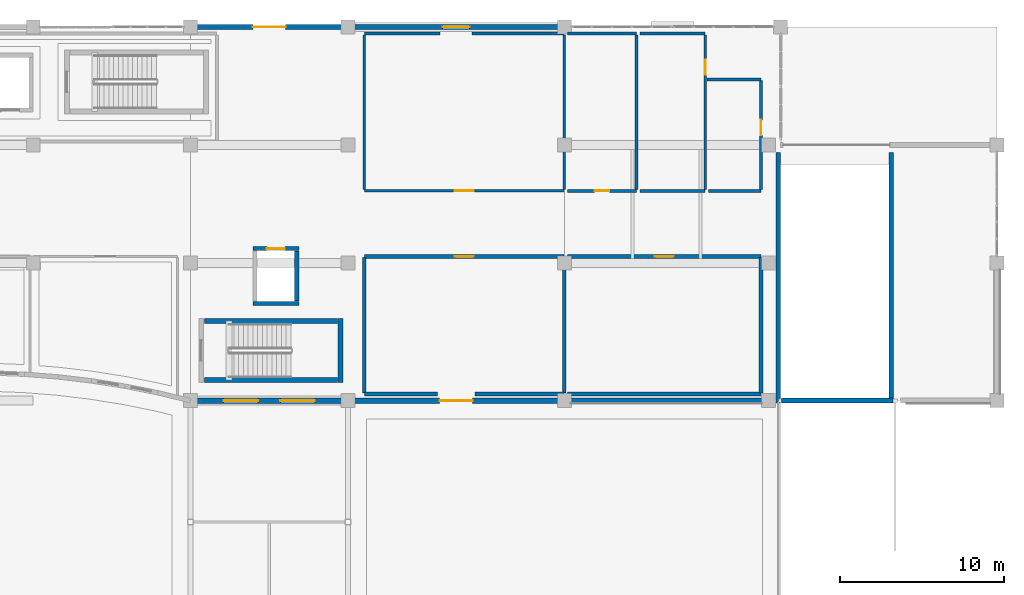
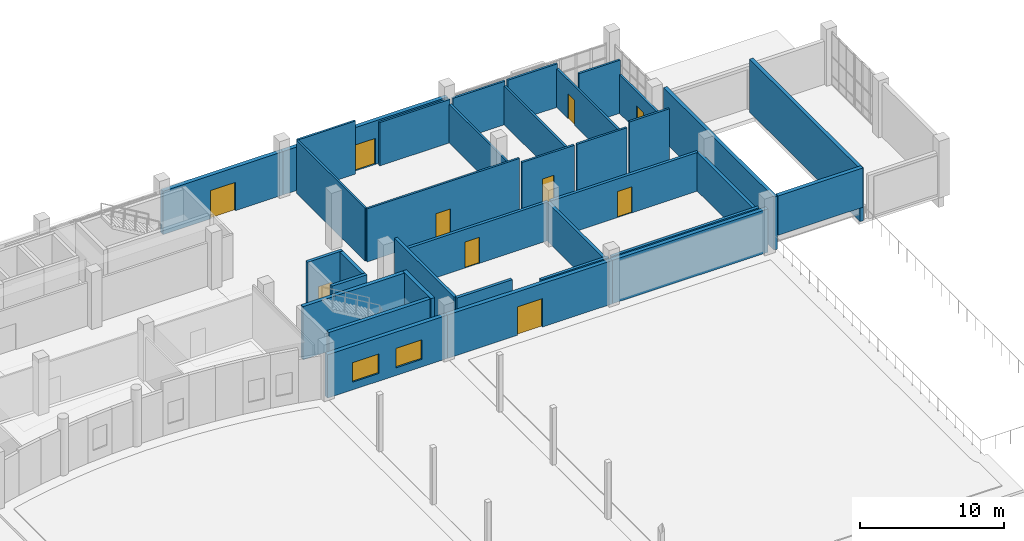
# One storey, part 72 of 97: 36 walls, 10 doors, 2 windows, 12 openings.
"""IFC4 building model written with IfcOpenShell, lengths in metres."""

from ifc_helpers import new_model, si_unit, direction, frame, frame_2d, origin, place, context, subcontext, project, spatial, rectangle, extrude, material, layer, layer_set, type_object, element, fill, save


model = new_model("IFC4")

# Units and contexts
model_context = context("Model", 3, precision=1e-05, world=origin(), true_north=direction((0.0, 1.0)))
body_context = subcontext(model_context, "Body", "Model", "MODEL_VIEW")
ifc_project = project(units=[si_unit("LENGTHUNIT", "METRE"), si_unit("AREAUNIT", "SQUARE_METRE"), si_unit("VOLUMEUNIT", "CUBIC_METRE"), si_unit("PLANEANGLEUNIT", "RADIAN"), si_unit("MASSUNIT", "GRAM", prefix="KILO")], contexts=[model_context])

# Site, building, storey
site_placement = place(None, origin())
site = spatial("IfcSite", under=ifc_project, at=site_placement, CompositionType="ELEMENT")
building_placement = place(site_placement, origin())
building = spatial("IfcBuilding", under=site, at=building_placement, Name="Kisaragi Civic Commons", CompositionType="ELEMENT")
storey_placement = place(building_placement, origin())
storey = spatial("IfcBuildingStorey", under=building, at=storey_placement, Name="L00", CompositionType="ELEMENT", Elevation=0.0)

# Wall, opening, door
ifc_material_1 = material(Name="Insulated Tokoname terracotta cavity wall", Category="masonry")
ifc_layer_1 = layer(ifc_material_1, 0.320068359375, Name="Insulated Tokoname terracotta cavity wall", Category="masonry")
ifc_layer_set_1 = layer_set([ifc_layer_1], Name="Insulated Tokoname terracotta cavity wall")
wall_type_1 = type_object("IfcWallType", Name="EW-01", PredefinedType="STANDARD", material=ifc_layer_set_1)
wall_1_placement = place(storey_placement, frame((123.60009765625, 118.800048828125, 0.0), z_axis=(0.0, 0.0, 1.0), x_axis=(1.0, 0.0, 0.0)))
wall_1 = element("IfcWall", 1, at=wall_1_placement, inside=storey, type_object=wall_type_1, Name="V4 L00 exterior terracotta wall EW-01 281", PredefinedType="STANDARD", context=body_context, shape_type="SweptSolid", body=[
    extrude(rectangle(XDim=9.599853515625, YDim=0.320068359375, at=frame_2d((4.7998046875, 0.0))), origin(), (0.0, 0.0, 1.0), 3.669921875),
])
opening_1_placement = place(wall_1_placement, frame((3.800048828125, 0.0, 0.0)))
opening_1 = element("IfcOpeningElement", 2, at=opening_1_placement, cuts=wall_1, Name="Opening ED-A", PredefinedType="OPENING", context=body_context, shape_type="SweptSolid", body=[
    extrude(rectangle(XDim=2.0, YDim=2.39990234375, at=frame_2d((1.0, 1.199951171875))), frame((0.0, 0.169921875, 0.0), z_axis=(0.0, -1.0, 0.0), x_axis=(1.0, 0.0, 0.0)), (0.0, 0.0, 1.0), 0.340087890625),
])
ifc_material_2 = material(Name="Thermally broken anodized aluminium glazed exit door", Category="aluminium")
door_type_1 = type_object("IfcDoorType", Name="ED-A", OperationType="NOTDEFINED", PredefinedType="DOOR", material=ifc_material_2)
door_1_placement = place(opening_1_placement, origin())
door_1 = element("IfcDoor", 3, at=door_1_placement, inside=storey, type_object=door_type_1, Name="Ground exterior exit and veranda door ED-A 19", OperationType="DOUBLE_DOOR_SINGLE_SWING", OverallHeight=2.39990234375, OverallWidth=2.0, PredefinedType="DOOR", context=body_context, shape_type="SweptSolid", body=[
    extrude(rectangle(XDim=2.0, YDim=2.39990234375, at=frame_2d((1.0, 1.199951171875))), frame((0.0, 0.02490234375, 0.0), z_axis=(0.0, -1.0, 0.0), x_axis=(1.0, 0.0, 0.0)), (0.0, 0.0, 1.0), 0.050048828125),
])
fill(opening_1, door_1)

wall_2_placement = place(storey_placement, frame((133.199951171875, 118.800048828125, 0.0), z_axis=(0.0, 0.0, 1.0), x_axis=(1.0, 0.0, 0.0)))
wall_2 = element("IfcWall", 4, at=wall_2_placement, inside=storey, type_object=wall_type_1, Name="V4 L00 exterior terracotta wall EW-01 282", PredefinedType="STANDARD", context=body_context, shape_type="SweptSolid", body=[
    extrude(rectangle(XDim=13.199951171875, YDim=0.320068359375, at=frame_2d((6.60009765625, 0.0))), origin(), (0.0, 0.0, 1.0), 3.669921875),
])
opening_2_placement = place(wall_2_placement, frame((5.77490234375, 0.0, 0.0)))
opening_2 = element("IfcOpeningElement", 5, at=opening_2_placement, cuts=wall_2, Name="Opening ED-D", PredefinedType="OPENING", context=body_context, shape_type="SweptSolid", body=[
    extrude(rectangle(XDim=1.64990234375, YDim=2.199951171875, at=frame_2d((0.824951171875, 1.10009765625))), frame((0.0, 0.169921875, 0.0), z_axis=(0.0, -1.0, 0.0), x_axis=(1.0, 0.0, 0.0)), (0.0, 0.0, 1.0), 0.340087890625),
])
door_type_2 = type_object("IfcDoorType", Name="ED-D", OperationType="NOTDEFINED", PredefinedType="DOOR", material=ifc_material_2)
door_2_placement = place(opening_2_placement, origin())
door_2 = element("IfcDoor", 6, at=door_2_placement, inside=storey, type_object=door_type_2, Name="Ground exterior exit and veranda door ED-D 20", OperationType="DOUBLE_DOOR_SINGLE_SWING", OverallHeight=2.199951171875, OverallWidth=1.64990234375, PredefinedType="DOOR", context=body_context, shape_type="SweptSolid", body=[
    extrude(rectangle(XDim=1.64990234375, YDim=2.199951171875, at=frame_2d((0.824951171875, 1.10009765625))), frame((0.0, 0.02490234375, 0.0), z_axis=(0.0, -1.0, 0.0), x_axis=(1.0, 0.0, 0.0)), (0.0, 0.0, 1.0), 0.050048828125),
])
fill(opening_2, door_2)

wall_3_placement = place(storey_placement, frame((146.39990234375, 96.0, 0.0), z_axis=(0.0, 0.0, 1.0), x_axis=(-1.0, 0.0, 0.0)))
wall_3 = element("IfcWall", 7, at=wall_3_placement, inside=storey, type_object=wall_type_1, Name="V4 L00 exterior terracotta wall EW-01 287", PredefinedType="STANDARD", context=body_context, shape_type="SweptSolid", body=[
    extrude(rectangle(XDim=13.199951171875, YDim=0.320068359375, at=frame_2d((6.60009765625, 0.0))), origin(), (0.0, 0.0, 1.0), 3.669921875),
])
opening_3_placement = place(wall_3_placement, frame((5.60009765625, 0.0, 0.0)))
opening_3 = element("IfcOpeningElement", 8, at=opening_3_placement, cuts=wall_3, Name="Opening ED-A", PredefinedType="OPENING", context=body_context, shape_type="SweptSolid", body=[
    extrude(rectangle(XDim=2.0, YDim=2.39990234375, at=frame_2d((1.0, 1.199951171875))), frame((0.0, 0.169921875, 0.0), z_axis=(0.0, -1.0, 0.0), x_axis=(1.0, 0.0, 0.0)), (0.0, 0.0, 1.0), 0.340087890625),
])
door_3_placement = place(opening_3_placement, origin())
door_3 = element("IfcDoor", 9, at=door_3_placement, inside=storey, type_object=door_type_1, Name="Ground exterior exit and veranda door ED-A 25", OperationType="DOUBLE_DOOR_SINGLE_SWING", OverallHeight=2.39990234375, OverallWidth=2.0, PredefinedType="DOOR", context=body_context, shape_type="SweptSolid", body=[
    extrude(rectangle(XDim=2.0, YDim=2.39990234375, at=frame_2d((1.0, 1.199951171875))), frame((0.0, 0.02490234375, 0.0), z_axis=(0.0, -1.0, 0.0), x_axis=(1.0, 0.0, 0.0)), (0.0, 0.0, 1.0), 0.050048828125),
])
fill(opening_3, door_3)

# Wall, openings, windows
wall_4_placement = place(storey_placement, frame((133.199951171875, 96.0, 0.0), z_axis=(0.0, 0.0, 1.0), x_axis=(-1.0, 0.0, 0.0)))
wall_4 = element("IfcWall", 10, at=wall_4_placement, inside=storey, type_object=wall_type_1, Name="V4 L00 exterior terracotta wall EW-01 288", PredefinedType="STANDARD", context=body_context, shape_type="SweptSolid", body=[
    extrude(rectangle(XDim=9.599853515625, YDim=0.320068359375, at=frame_2d((4.7998046875, 0.0))), origin(), (0.0, 0.0, 1.0), 3.669921875),
])
opening_4_placement = place(wall_4_placement, frame((2.02197265625, 0.0, 0.64990234375)))
opening_4 = element("IfcOpeningElement", 11, at=opening_4_placement, cuts=wall_4, Name="Opening W-04", PredefinedType="OPENING", context=body_context, shape_type="SweptSolid", body=[
    extrude(rectangle(XDim=2.10009765625, YDim=1.64990234375, at=frame_2d((1.050048828125, 0.824951171875))), frame((0.0, 0.169921875, 0.0), z_axis=(0.0, -1.0, 0.0), x_axis=(1.0, 0.0, 0.0)), (0.0, 0.0, 1.0), 0.340087890625),
])
opening_5_placement = place(wall_4_placement, frame((5.47802734375, 0.0, 0.64990234375)))
opening_5 = element("IfcOpeningElement", 12, at=opening_5_placement, cuts=wall_4, Name="Opening W-04", PredefinedType="OPENING", context=body_context, shape_type="SweptSolid", body=[
    extrude(rectangle(XDim=2.10009765625, YDim=1.64990234375, at=frame_2d((1.050048828125, 0.824951171875))), frame((0.0, 0.169921875, 0.0), z_axis=(0.0, -1.0, 0.0), x_axis=(1.0, 0.0, 0.0)), (0.0, 0.0, 1.0), 0.340087890625),
])
ifc_material_3 = material(Name="Thermally broken aluminium frame and low-E argon double glazing", Category="aluminium")
window_type = type_object("IfcWindowType", Name="W-04", PartitioningType="SINGLE_PANEL", PredefinedType="WINDOW", material=ifc_material_3)
window_1_placement = place(opening_4_placement, origin())
window_1 = element("IfcWindow", 13, at=window_1_placement, inside=storey, type_object=window_type, Name="V4 L00 window W-04 93", OverallHeight=1.64990234375, OverallWidth=2.10009765625, PartitioningType="SINGLE_PANEL", PredefinedType="WINDOW", context=body_context, shape_type="SweptSolid", body=[
    extrude(rectangle(XDim=2.10009765625, YDim=1.64990234375, at=frame_2d((1.050048828125, 0.824951171875))), frame((0.0, 0.030029296875, 0.0), z_axis=(0.0, -1.0, 0.0), x_axis=(1.0, 0.0, 0.0)), (0.0, 0.0, 1.0), 0.06005859375),
])
fill(opening_4, window_1)
window_2_placement = place(opening_5_placement, origin())
window_2 = element("IfcWindow", 14, at=window_2_placement, inside=storey, type_object=window_type, Name="V4 L00 window W-04 94", OverallHeight=1.64990234375, OverallWidth=2.10009765625, PartitioningType="SINGLE_PANEL", PredefinedType="WINDOW", context=body_context, shape_type="SweptSolid", body=[
    extrude(rectangle(XDim=2.10009765625, YDim=1.64990234375, at=frame_2d((1.050048828125, 0.824951171875))), frame((0.0, 0.030029296875, 0.0), z_axis=(0.0, -1.0, 0.0), x_axis=(1.0, 0.0, 0.0)), (0.0, 0.0, 1.0), 0.06005859375),
])
fill(opening_5, window_2)

# Walls
ifc_layer_2 = layer(ifc_material_1, 0.31005859375, Name="Insulated Tokoname terracotta cavity wall", Category="masonry")
ifc_layer_set_2 = layer_set([ifc_layer_2], Name="Insulated Tokoname terracotta cavity wall")
wall_type_2 = type_object("IfcWallType", Name="EW-05", PredefinedType="STANDARD", material=ifc_layer_set_2)
wall_5_placement = place(storey_placement, frame((158.85009765625, 96.0, 0.0), z_axis=(0.0, 0.0, 1.0), x_axis=(-1.0, 0.0, 0.0)))
element("IfcWall", 15, at=wall_5_placement, inside=storey, type_object=wall_type_2, Name="V4 L00 exterior terracotta wall EW-05 286", PredefinedType="STANDARD", context=body_context, shape_type="SweptSolid", body=[
    extrude(rectangle(XDim=12.4501953125, YDim=0.31005859375, at=frame_2d((6.22509765625, 0.0))), origin(), (0.0, 0.0, 1.0), 3.669921875),
])
wall_6_placement = place(storey_placement, frame((159.64990234375, 96.0, 1.155029296875), z_axis=(0.0, 0.0, 1.0), x_axis=(1.0, 0.0, 0.0)))
element("IfcWall", 16, at=wall_6_placement, inside=storey, type_object=wall_type_2, Name="L00 vehicle ramp south portal header wall", PredefinedType="STANDARD", context=body_context, shape_type="SweptSolid", body=[
    extrude(rectangle(XDim=6.800048828125, YDim=0.31005859375, at=frame_2d((3.39990234375, 0.0))), origin(), (0.0, 0.0, 1.0), 3.324951171875),
])
ifc_material_4 = material(Name="Fire-rated double gypsum board on steel studs with mineral wool", Category="steel")
ifc_layer_3 = layer(ifc_material_4, 0.22998046875, Name="Fire-rated double gypsum board on steel studs with mineral wool", Category="steel")
ifc_layer_set_3 = layer_set([ifc_layer_3], Name="Fire-rated double gypsum board on steel studs with mineral wool")
wall_type_3 = type_object("IfcWallType", Name="FW-04", PredefinedType="STANDARD", material=ifc_layer_set_3)
wall_7_placement = place(storey_placement, frame((146.39990234375, 104.72509765625, 0.0), z_axis=(0.0, 0.0, 1.0), x_axis=(0.0, -1.0, 0.0)))
element("IfcWall", 17, at=wall_7_placement, inside=storey, type_object=wall_type_3, Name="L00 W0-10 partition FW-04 160", PredefinedType="STANDARD", context=body_context, shape_type="SweptSolid", body=[
    extrude(rectangle(XDim=8.25, YDim=0.22998046875, at=frame_2d((4.125, 0.0))), origin(), (0.0, 0.0, 1.0), 3.27001953125),
])
wall_8_placement = place(storey_placement, frame((146.39501953125, 96.39990234375, 0.0), z_axis=(0.0, 0.0, 1.0), x_axis=(-1.0, 0.0, 0.0)))
element("IfcWall", 18, at=wall_8_placement, inside=storey, type_object=wall_type_3, Name="L00 W0-10 partition FW-04 161", PredefinedType="STANDARD", context=body_context, shape_type="SweptSolid", body=[
    extrude(rectangle(XDim=5.449951171875, YDim=0.22998046875, at=frame_2d((2.72509765625, 0.0))), origin(), (0.0, 0.0, 1.0), 3.669921875),
])
wall_9_placement = place(storey_placement, frame((138.655029296875, 96.39990234375, 0.0), z_axis=(0.0, 0.0, 1.0), x_axis=(-1.0, 0.0, 0.0)))
element("IfcWall", 19, at=wall_9_placement, inside=storey, type_object=wall_type_3, Name="L00 W0-10 partition FW-04 162", PredefinedType="STANDARD", context=body_context, shape_type="SweptSolid", body=[
    extrude(rectangle(XDim=4.449951171875, YDim=0.22998046875, at=frame_2d((2.22509765625, 0.0))), origin(), (0.0, 0.0, 1.0), 4.489990234375),
])
wall_10_placement = place(storey_placement, frame((134.199951171875, 96.47509765625, 0.0), z_axis=(0.0, 0.0, 1.0), x_axis=(0.0, 1.0, 0.0)))
element("IfcWall", 20, at=wall_10_placement, inside=storey, type_object=wall_type_3, Name="L00 W0-10 partition FW-04 163", PredefinedType="STANDARD", context=body_context, shape_type="SweptSolid", body=[
    extrude(rectangle(XDim=8.25, YDim=0.22998046875, at=frame_2d((4.125, 0.0))), origin(), (0.0, 0.0, 1.0), 4.489990234375),
])

# Wall, opening, door
wall_11_placement = place(storey_placement, frame((134.205078125, 104.800048828125, 0.0), z_axis=(0.0, 0.0, 1.0), x_axis=(1.0, 0.0, 0.0)))
wall_11 = element("IfcWall", 21, at=wall_11_placement, inside=storey, type_object=wall_type_3, Name="L00 W0-10 partition FW-04 164", PredefinedType="STANDARD", context=body_context, shape_type="SweptSolid", body=[
    extrude(rectangle(XDim=12.18994140625, YDim=0.22998046875, at=frame_2d((6.094970703125, 0.0))), origin(), (0.0, 0.0, 1.0), 3.27001953125),
])
opening_6_placement = place(wall_11_placement, frame((5.52001953125, 0.0, 0.0)))
opening_6 = element("IfcOpeningElement", 22, at=opening_6_placement, cuts=wall_11, Name="Opening FD-03", PredefinedType="OPENING", context=body_context, shape_type="SweptSolid", body=[
    extrude(rectangle(XDim=1.14990234375, YDim=2.199951171875, at=frame_2d((0.574951171875, 1.10009765625))), frame((0.0, 0.125, 0.0), z_axis=(0.0, -1.0, 0.0), x_axis=(1.0, 0.0, 0.0)), (0.0, 0.0, 1.0), 0.25),
])
ifc_material_5 = material(Name="Insulated fire-rated pressed steel door assembly", Category="steel")
door_type_3 = type_object("IfcDoorType", Name="FD-03", OperationType="NOTDEFINED", PredefinedType="DOOR", material=ifc_material_5)
door_4_placement = place(opening_6_placement, origin())
door_4 = element("IfcDoor", 23, at=door_4_placement, inside=storey, type_object=door_type_3, Name="Disaster Prevention and Fire Command Room door FD-03", OperationType="SINGLE_SWING_RIGHT", OverallHeight=2.199951171875, OverallWidth=1.14990234375, PredefinedType="DOOR", context=body_context, shape_type="SweptSolid", body=[
    extrude(rectangle(XDim=1.14990234375, YDim=2.199951171875, at=frame_2d((0.574951171875, 1.10009765625))), frame((0.0, 0.02490234375, 0.0), z_axis=(0.0, -1.0, 0.0), x_axis=(1.0, 0.0, 0.0)), (0.0, 0.0, 1.0), 0.050048828125),
])
fill(opening_6, door_4)

# Walls
wall_12_placement = place(storey_placement, frame((158.39990234375, 104.72509765625, 0.0), z_axis=(0.0, 0.0, 1.0), x_axis=(0.0, -1.0, 0.0)))
element("IfcWall", 24, at=wall_12_placement, inside=storey, type_object=wall_type_3, Name="L00 W0-11 partition FW-04 165", PredefinedType="STANDARD", context=body_context, shape_type="SweptSolid", body=[
    extrude(rectangle(XDim=8.25, YDim=0.22998046875, at=frame_2d((4.125, 0.0))), origin(), (0.0, 0.0, 1.0), 3.27001953125),
])
wall_13_placement = place(storey_placement, frame((158.39501953125, 96.39990234375, 0.0), z_axis=(0.0, 0.0, 1.0), x_axis=(-1.0, 0.0, 0.0)))
element("IfcWall", 25, at=wall_13_placement, inside=storey, type_object=wall_type_3, Name="L00 W0-11 partition FW-04 166", PredefinedType="STANDARD", context=body_context, shape_type="SweptSolid", body=[
    extrude(rectangle(XDim=11.7900390625, YDim=0.22998046875, at=frame_2d((5.89501953125, 0.0))), origin(), (0.0, 0.0, 1.0), 3.669921875),
])

# Wall, opening, door
wall_14_placement = place(storey_placement, frame((146.60498046875, 104.800048828125, 0.0), z_axis=(0.0, 0.0, 1.0), x_axis=(1.0, 0.0, 0.0)))
wall_14 = element("IfcWall", 26, at=wall_14_placement, inside=storey, type_object=wall_type_3, Name="L00 W0-11 partition FW-04 167", PredefinedType="STANDARD", context=body_context, shape_type="SweptSolid", body=[
    extrude(rectangle(XDim=11.7900390625, YDim=0.22998046875, at=frame_2d((5.89501953125, 0.0))), origin(), (0.0, 0.0, 1.0), 3.27001953125),
])
opening_7_placement = place(wall_14_placement, frame((5.320068359375, 0.0, 0.0)))
opening_7 = element("IfcOpeningElement", 27, at=opening_7_placement, cuts=wall_14, Name="Opening FD-03", PredefinedType="OPENING", context=body_context, shape_type="SweptSolid", body=[
    extrude(rectangle(XDim=1.14990234375, YDim=2.199951171875, at=frame_2d((0.574951171875, 1.10009765625))), frame((0.0, 0.125, 0.0), z_axis=(0.0, -1.0, 0.0), x_axis=(1.0, 0.0, 0.0)), (0.0, 0.0, 1.0), 0.25),
])
door_5_placement = place(opening_7_placement, origin())
door_5 = element("IfcDoor", 28, at=door_5_placement, inside=storey, type_object=door_type_3, Name="Emergency Stockpile Room door FD-03", OperationType="SINGLE_SWING_LEFT", OverallHeight=2.199951171875, OverallWidth=1.14990234375, PredefinedType="DOOR", context=body_context, shape_type="SweptSolid", body=[
    extrude(rectangle(XDim=1.14990234375, YDim=2.199951171875, at=frame_2d((0.574951171875, 1.10009765625))), frame((0.0, 0.02490234375, 0.0), z_axis=(0.0, -1.0, 0.0), x_axis=(1.0, 0.0, 0.0)), (0.0, 0.0, 1.0), 0.050048828125),
])
fill(opening_7, door_5)

# Wall
ifc_material_6 = material(Name="Cementitious tile-backer board on galvanized steel studs", Category="steel")
ifc_layer_4 = layer(ifc_material_6, 0.16796875, Name="Cementitious tile-backer board on galvanized steel studs", Category="steel")
ifc_layer_set_4 = layer_set([ifc_layer_4], Name="Cementitious tile-backer board on galvanized steel studs")
wall_type_4 = type_object("IfcWallType", Name="IW-03", PredefinedType="STANDARD", material=ifc_layer_set_4)
wall_15_placement = place(storey_placement, frame((150.800048828125, 118.324951171875, 0.0), z_axis=(0.0, 0.0, 1.0), x_axis=(0.0, -1.0, 0.0)))
element("IfcWall", 29, at=wall_15_placement, inside=storey, type_object=wall_type_4, Name="L00 W0-13 partition IW-03 173", PredefinedType="STANDARD", context=body_context, shape_type="SweptSolid", body=[
    extrude(rectangle(XDim=9.449951171875, YDim=0.16796875, at=frame_2d((4.72509765625, 0.0))), origin(), (0.0, 0.0, 1.0), 3.27001953125),
])

# Wall, opening, door
wall_16_placement = place(storey_placement, frame((150.794921875, 108.800048828125, 0.0), z_axis=(0.0, 0.0, 1.0), x_axis=(-1.0, 0.0, 0.0)))
wall_16 = element("IfcWall", 30, at=wall_16_placement, inside=storey, type_object=wall_type_4, Name="L00 W0-13 partition IW-03 174", PredefinedType="STANDARD", context=body_context, shape_type="SweptSolid", body=[
    extrude(rectangle(XDim=4.18994140625, YDim=0.16796875, at=frame_2d((2.094970703125, 0.0))), origin(), (0.0, 0.0, 1.0), 4.070068359375),
])
opening_8_placement = place(wall_16_placement, frame((1.64501953125, 0.0, 0.0)))
opening_8 = element("IfcOpeningElement", 31, at=opening_8_placement, cuts=wall_16, Name="Opening ID-02", PredefinedType="OPENING", context=body_context, shape_type="SweptSolid", body=[
    extrude(rectangle(XDim=0.89990234375, YDim=2.10009765625, at=frame_2d((0.449951171875, 1.050048828125))), frame((0.0, 0.093994140625, 0.0), z_axis=(0.0, -1.0, 0.0), x_axis=(1.0, 0.0, 0.0)), (0.0, 0.0, 1.0), 0.18798828125),
])
ifc_material_7 = material(Name="Solid-core Japanese ash acoustic flush timber leaf in steel frame", Category="steel")
door_type_4 = type_object("IfcDoorType", Name="ID-02", OperationType="NOTDEFINED", PredefinedType="DOOR", material=ifc_material_7)
door_6_placement = place(opening_8_placement, origin())
door_6 = element("IfcDoor", 32, at=door_6_placement, inside=storey, type_object=door_type_4, Name="Wing Male WC door ID-02", OperationType="SINGLE_SWING_LEFT", OverallHeight=2.10009765625, OverallWidth=0.89990234375, PredefinedType="DOOR", context=body_context, shape_type="SweptSolid", body=[
    extrude(rectangle(XDim=0.89990234375, YDim=2.10009765625, at=frame_2d((0.449951171875, 1.050048828125))), frame((0.0, 0.02490234375, 0.0), z_axis=(0.0, -1.0, 0.0), x_axis=(1.0, 0.0, 0.0)), (0.0, 0.0, 1.0), 0.050048828125),
])
fill(opening_8, door_6)

# Wall
wall_17_placement = place(storey_placement, frame((146.60498046875, 118.39990234375, 0.0), z_axis=(0.0, 0.0, 1.0), x_axis=(1.0, 0.0, 0.0)))
element("IfcWall", 33, at=wall_17_placement, inside=storey, type_object=wall_type_4, Name="L00 W0-13 partition IW-03 175", PredefinedType="STANDARD", context=body_context, shape_type="SweptSolid", body=[
    extrude(rectangle(XDim=4.18994140625, YDim=0.16796875, at=frame_2d((2.094970703125, 0.0))), origin(), (0.0, 0.0, 1.0), 3.669921875),
])

# Wall, opening, door
wall_18_placement = place(storey_placement, frame((155.0, 118.324951171875, 0.0), z_axis=(0.0, 0.0, 1.0), x_axis=(0.0, -1.0, 0.0)))
wall_18 = element("IfcWall", 34, at=wall_18_placement, inside=storey, type_object=wall_type_4, Name="L00 W0-14 partition IW-03 176", PredefinedType="STANDARD", context=body_context, shape_type="SweptSolid", body=[
    extrude(rectangle(XDim=9.449951171875, YDim=0.16796875, at=frame_2d((4.72509765625, 0.0))), origin(), (0.0, 0.0, 1.0), 3.27001953125),
])
opening_9_placement = place(wall_18_placement, frame((1.5390625, 0.0, 0.0)))
opening_9 = element("IfcOpeningElement", 35, at=opening_9_placement, cuts=wall_18, Name="Opening ID-02", PredefinedType="OPENING", context=body_context, shape_type="SweptSolid", body=[
    extrude(rectangle(XDim=0.89990234375, YDim=2.10009765625, at=frame_2d((0.449951171875, 1.050048828125))), frame((0.0, 0.093994140625, 0.0), z_axis=(0.0, -1.0, 0.0), x_axis=(1.0, 0.0, 0.0)), (0.0, 0.0, 1.0), 0.18798828125),
])
door_7_placement = place(opening_9_placement, origin())
door_7 = element("IfcDoor", 36, at=door_7_placement, inside=storey, type_object=door_type_4, Name="Wing Female WC door ID-02", OperationType="SINGLE_SWING_RIGHT", OverallHeight=2.10009765625, OverallWidth=0.89990234375, PredefinedType="DOOR", context=body_context, shape_type="SweptSolid", body=[
    extrude(rectangle(XDim=0.89990234375, YDim=2.10009765625, at=frame_2d((0.449951171875, 1.050048828125))), frame((0.0, 0.02490234375, 0.0), z_axis=(0.0, -1.0, 0.0), x_axis=(1.0, 0.0, 0.0)), (0.0, 0.0, 1.0), 0.050048828125),
])
fill(opening_9, door_7)

# Walls
wall_19_placement = place(storey_placement, frame((154.9951171875, 108.800048828125, 0.0), z_axis=(0.0, 0.0, 1.0), x_axis=(-1.0, 0.0, 0.0)))
element("IfcWall", 37, at=wall_19_placement, inside=storey, type_object=wall_type_4, Name="L00 W0-14 partition IW-03 177", PredefinedType="STANDARD", context=body_context, shape_type="SweptSolid", body=[
    extrude(rectangle(XDim=3.990234375, YDim=0.16796875, at=frame_2d((1.9951171875, 0.0))), origin(), (0.0, 0.0, 1.0), 4.070068359375),
])
wall_20_placement = place(storey_placement, frame((151.0048828125, 118.39990234375, 0.0), z_axis=(0.0, 0.0, 1.0), x_axis=(1.0, 0.0, 0.0)))
element("IfcWall", 38, at=wall_20_placement, inside=storey, type_object=wall_type_4, Name="L00 W0-14 partition IW-03 178", PredefinedType="STANDARD", context=body_context, shape_type="SweptSolid", body=[
    extrude(rectangle(XDim=3.990234375, YDim=0.16796875, at=frame_2d((1.9951171875, 0.0))), origin(), (0.0, 0.0, 1.0), 3.669921875),
])

# Wall, opening, door
wall_21_placement = place(storey_placement, frame((158.39990234375, 115.52490234375, 0.0), z_axis=(0.0, 0.0, 1.0), x_axis=(0.0, -1.0, 0.0)))
wall_21 = element("IfcWall", 39, at=wall_21_placement, inside=storey, type_object=wall_type_4, Name="L00 W0-15 partition IW-03 179", PredefinedType="STANDARD", context=body_context, shape_type="SweptSolid", body=[
    extrude(rectangle(XDim=6.64990234375, YDim=0.16796875, at=frame_2d((3.324951171875, 0.0))), origin(), (0.0, 0.0, 1.0), 3.27001953125),
])
opening_10_placement = place(wall_21_placement, frame((2.39404296875, 0.0, 0.0)))
opening_10 = element("IfcOpeningElement", 40, at=opening_10_placement, cuts=wall_21, Name="Opening ID-01", PredefinedType="OPENING", context=body_context, shape_type="SweptSolid", body=[
    extrude(rectangle(XDim=0.949951171875, YDim=2.10009765625, at=frame_2d((0.47509765625, 1.050048828125))), frame((0.0, 0.093994140625, 0.0), z_axis=(0.0, -1.0, 0.0), x_axis=(1.0, 0.0, 0.0)), (0.0, 0.0, 1.0), 0.18798828125),
])
door_type_5 = type_object("IfcDoorType", Name="ID-01", OperationType="NOTDEFINED", PredefinedType="DOOR", material=ifc_material_7)
door_8_placement = place(opening_10_placement, origin())
door_8 = element("IfcDoor", 41, at=door_8_placement, inside=storey, type_object=door_type_5, Name="Wing Accessible WC door ID-01", OperationType="SINGLE_SWING_LEFT", OverallHeight=2.10009765625, OverallWidth=0.949951171875, PredefinedType="DOOR", context=body_context, shape_type="SweptSolid", body=[
    extrude(rectangle(XDim=0.949951171875, YDim=2.10009765625, at=frame_2d((0.47509765625, 1.050048828125))), frame((0.0, 0.02490234375, 0.0), z_axis=(0.0, -1.0, 0.0), x_axis=(1.0, 0.0, 0.0)), (0.0, 0.0, 1.0), 0.050048828125),
])
fill(opening_10, door_8)

# Walls
wall_22_placement = place(storey_placement, frame((158.39501953125, 108.800048828125, 0.0), z_axis=(0.0, 0.0, 1.0), x_axis=(-1.0, 0.0, 0.0)))
element("IfcWall", 42, at=wall_22_placement, inside=storey, type_object=wall_type_4, Name="L00 W0-15 partition IW-03 180", PredefinedType="STANDARD", context=body_context, shape_type="SweptSolid", body=[
    extrude(rectangle(XDim=3.18994140625, YDim=0.16796875, at=frame_2d((1.594970703125, 0.0))), origin(), (0.0, 0.0, 1.0), 4.489990234375),
])
wall_23_placement = place(storey_placement, frame((155.092041015625, 115.60009765625, 0.0), z_axis=(0.0, 0.0, 1.0), x_axis=(1.0, 0.0, 0.0)))
element("IfcWall", 43, at=wall_23_placement, inside=storey, type_object=wall_type_4, Name="L00 W0-15 partition IW-03 181", PredefinedType="STANDARD", context=body_context, shape_type="SweptSolid", body=[
    extrude(rectangle(XDim=3.302978515625, YDim=0.16796875, at=frame_2d((1.6513671875, 0.0))), origin(), (0.0, 0.0, 1.0), 4.489990234375),
])
ifc_material_8 = material(Name="Slatted Mikawa hinoki acoustic timber partition", Category="wood")
ifc_layer_5 = layer(ifc_material_8, 0.159912109375, Name="Slatted Mikawa hinoki acoustic timber partition", Category="wood")
ifc_layer_set_5 = layer_set([ifc_layer_5], Name="Slatted Mikawa hinoki acoustic timber partition")
wall_type_5 = type_object("IfcWallType", Name="IW-06", PredefinedType="STANDARD", material=ifc_layer_set_5)
wall_24_placement = place(storey_placement, frame((146.39990234375, 118.324951171875, 0.0), z_axis=(0.0, 0.0, 1.0), x_axis=(0.0, -1.0, 0.0)))
element("IfcWall", 44, at=wall_24_placement, inside=storey, type_object=wall_type_5, Name="L00 W0-12 partition IW-06 168", PredefinedType="STANDARD", context=body_context, shape_type="SweptSolid", body=[
    extrude(rectangle(XDim=9.449951171875, YDim=0.159912109375, at=frame_2d((4.72509765625, 0.0))), origin(), (0.0, 0.0, 1.0), 3.27001953125),
])

# Wall, opening, door
wall_25_placement = place(storey_placement, frame((146.39501953125, 108.800048828125, 0.0), z_axis=(0.0, 0.0, 1.0), x_axis=(-1.0, 0.0, 0.0)))
wall_25 = element("IfcWall", 45, at=wall_25_placement, inside=storey, type_object=wall_type_5, Name="L00 W0-12 partition IW-06 169", PredefinedType="STANDARD", context=body_context, shape_type="SweptSolid", body=[
    extrude(rectangle(XDim=12.18994140625, YDim=0.159912109375, at=frame_2d((6.094970703125, 0.0))), origin(), (0.0, 0.0, 1.0), 4.489990234375),
])
opening_11_placement = place(wall_25_placement, frame((5.52001953125, 0.0, 0.0)))
opening_11 = element("IfcOpeningElement", 46, at=opening_11_placement, cuts=wall_25, Name="Opening ID-04", PredefinedType="OPENING", context=body_context, shape_type="SweptSolid", body=[
    extrude(rectangle(XDim=1.14990234375, YDim=2.14990234375, at=frame_2d((0.574951171875, 1.074951171875))), frame((0.0, 0.08984375, 0.0), z_axis=(0.0, -1.0, 0.0), x_axis=(1.0, 0.0, 0.0)), (0.0, 0.0, 1.0), 0.179931640625),
])
door_type_6 = type_object("IfcDoorType", Name="ID-04", OperationType="NOTDEFINED", PredefinedType="DOOR", material=ifc_material_7)
door_9_placement = place(opening_11_placement, origin())
door_9 = element("IfcDoor", 47, at=door_9_placement, inside=storey, type_object=door_type_6, Name="Nursery Care and Nap Room door ID-04", OperationType="SINGLE_SWING_RIGHT", OverallHeight=2.14990234375, OverallWidth=1.14990234375, PredefinedType="DOOR", context=body_context, shape_type="SweptSolid", body=[
    extrude(rectangle(XDim=1.14990234375, YDim=2.14990234375, at=frame_2d((0.574951171875, 1.074951171875))), frame((0.0, 0.02490234375, 0.0), z_axis=(0.0, -1.0, 0.0), x_axis=(1.0, 0.0, 0.0)), (0.0, 0.0, 1.0), 0.050048828125),
])
fill(opening_11, door_9)

# Walls
wall_26_placement = place(storey_placement, frame((134.199951171875, 108.875, 0.0), z_axis=(0.0, 0.0, 1.0), x_axis=(0.0, 1.0, 0.0)))
element("IfcWall", 48, at=wall_26_placement, inside=storey, type_object=wall_type_5, Name="L00 W0-12 partition IW-06 170", PredefinedType="STANDARD", context=body_context, shape_type="SweptSolid", body=[
    extrude(rectangle(XDim=9.449951171875, YDim=0.159912109375, at=frame_2d((4.72509765625, 0.0))), origin(), (0.0, 0.0, 1.0), 4.489990234375),
])
wall_27_placement = place(storey_placement, frame((134.205078125, 118.39990234375, 0.0), z_axis=(0.0, 0.0, 1.0), x_axis=(1.0, 0.0, 0.0)))
element("IfcWall", 49, at=wall_27_placement, inside=storey, type_object=wall_type_5, Name="L00 W0-12 partition IW-06 171", PredefinedType="STANDARD", context=body_context, shape_type="SweptSolid", body=[
    extrude(rectangle(XDim=4.625, YDim=0.159912109375, at=frame_2d((2.3125, 0.0))), origin(), (0.0, 0.0, 1.0), 4.489990234375),
])
wall_28_placement = place(storey_placement, frame((140.77001953125, 118.39990234375, 0.0), z_axis=(0.0, 0.0, 1.0), x_axis=(1.0, 0.0, 0.0)))
element("IfcWall", 50, at=wall_28_placement, inside=storey, type_object=wall_type_5, Name="L00 W0-12 partition IW-06 172", PredefinedType="STANDARD", context=body_context, shape_type="SweptSolid", body=[
    extrude(rectangle(XDim=5.625, YDim=0.159912109375, at=frame_2d((2.8125, 0.0))), origin(), (0.0, 0.0, 1.0), 3.669921875),
])
ifc_material_9 = material(Name="Concrete Fc36", Category="concrete")
ifc_layer_6 = layer(ifc_material_9, 0.300048828125, Name="Concrete Fc36", Category="concrete")
ifc_layer_set_6 = layer_set([ifc_layer_6], Name="Concrete Fc36")
wall_type_6 = type_object("IfcWallType", Name="SW-01", PredefinedType="SHEAR", material=ifc_layer_set_6)
wall_29_placement = place(storey_placement, frame((124.449951171875, 97.25, 0.0), z_axis=(0.0, 0.0, 1.0), x_axis=(1.0, 0.0, 0.0)))
element("IfcWall", 51, at=wall_29_placement, inside=storey, type_object=wall_type_6, Name="ST-L3 L00 right RC shear wall", PredefinedType="SHEAR", context=body_context, shape_type="SweptSolid", body=[
    extrude(rectangle(XDim=8.10009765625, YDim=0.300048828125, at=frame_2d((4.050048828125, 0.0))), origin(), (0.0, 0.0, 1.0), 4.4951171875),
])
wall_30_placement = place(storey_placement, frame((132.75, 97.10009765625, 0.0), z_axis=(0.0, 0.0, 1.0), x_axis=(0.0, 1.0, 0.0)))
element("IfcWall", 52, at=wall_30_placement, inside=storey, type_object=wall_type_6, Name="ST-L3 L00 far RC shear wall", PredefinedType="SHEAR", context=body_context, shape_type="SweptSolid", body=[
    extrude(rectangle(XDim=3.89990234375, YDim=0.300048828125, at=frame_2d((1.949951171875, 0.0))), origin(), (0.0, 0.0, 1.0), 4.4951171875),
])
wall_31_placement = place(storey_placement, frame((132.550048828125, 100.85009765625, 0.0), z_axis=(0.0, 0.0, 1.0), x_axis=(-1.0, 0.0, 0.0)))
element("IfcWall", 53, at=wall_31_placement, inside=storey, type_object=wall_type_6, Name="ST-L3 L00 left RC shear wall", PredefinedType="SHEAR", context=body_context, shape_type="SweptSolid", body=[
    extrude(rectangle(XDim=8.10009765625, YDim=0.300048828125, at=frame_2d((4.050048828125, 0.0))), origin(), (0.0, 0.0, 1.0), 4.4951171875),
])
ifc_layer_7 = layer(ifc_material_9, 0.25, Name="Concrete Fc36", Category="concrete")
ifc_layer_set_7 = layer_set([ifc_layer_7], Name="Concrete Fc36")
wall_type_7 = type_object("IfcWallType", Name="SW-02", PredefinedType="SHEAR", material=ifc_layer_set_7)
wall_32_placement = place(storey_placement, frame((130.199951171875, 101.925048828125, 0.0), z_axis=(0.0, 0.0, 1.0), x_axis=(-1.0, 0.0, 0.0)))
element("IfcWall", 54, at=wall_32_placement, inside=storey, type_object=wall_type_7, Name="EL-L3 L00 south lift shaft wall", PredefinedType="SHEAR", context=body_context, shape_type="SweptSolid", body=[
    extrude(rectangle(XDim=2.800048828125, YDim=0.25, at=frame_2d((1.39990234375, 0.0))), origin(), (0.0, 0.0, 1.0), 4.52001953125),
])

# Wall, opening, door
wall_33_placement = place(storey_placement, frame((127.39990234375, 105.27490234375, 0.0), z_axis=(0.0, 0.0, 1.0), x_axis=(1.0, 0.0, 0.0)))
wall_33 = element("IfcWall", 55, at=wall_33_placement, inside=storey, type_object=wall_type_7, Name="EL-L3 L00 north lift shaft wall", PredefinedType="SHEAR", context=body_context, shape_type="SweptSolid", body=[
    extrude(rectangle(XDim=2.800048828125, YDim=0.25, at=frame_2d((1.39990234375, 0.0))), origin(), (0.0, 0.0, 1.0), 4.52001953125),
])
opening_12_placement = place(wall_33_placement, frame((0.85009765625, 0.0, 0.0)))
opening_12 = element("IfcOpeningElement", 56, at=opening_12_placement, cuts=wall_33, Name="Opening LD-01", PredefinedType="OPENING", context=body_context, shape_type="SweptSolid", body=[
    extrude(rectangle(XDim=1.10009765625, YDim=2.14990234375, at=frame_2d((0.550048828125, 1.074951171875))), frame((0.0, 0.135009765625, 0.0), z_axis=(0.0, -1.0, 0.0), x_axis=(1.0, 0.0, 0.0)), (0.0, 0.0, 1.0), 0.27001953125),
])
ifc_material_10 = material(Name="Brushed stainless steel bi-parting landing door", Category="steel")
door_type_7 = type_object("IfcDoorType", Name="LD-01", OperationType="NOTDEFINED", PredefinedType="DOOR", material=ifc_material_10)
door_10_placement = place(opening_12_placement, origin())
door_10 = element("IfcDoor", 57, at=door_10_placement, inside=storey, type_object=door_type_7, Name="EL-L3 L00 sliding lift landing door", OperationType="DOUBLE_DOOR_SLIDING", OverallHeight=2.14990234375, OverallWidth=1.10009765625, PredefinedType="DOOR", context=body_context, shape_type="SweptSolid", body=[
    extrude(rectangle(XDim=1.10009765625, YDim=2.14990234375, at=frame_2d((0.550048828125, 1.074951171875))), frame((0.0, 0.02490234375, 0.0), z_axis=(0.0, -1.0, 0.0), x_axis=(1.0, 0.0, 0.0)), (0.0, 0.0, 1.0), 0.050048828125),
])
fill(opening_12, door_10)

# Walls
wall_34_placement = place(storey_placement, frame((130.074951171875, 105.1298828125, 0.0), z_axis=(0.0, 0.0, 1.0), x_axis=(0.0, -1.0, 0.0)))
element("IfcWall", 58, at=wall_34_placement, inside=storey, type_object=wall_type_7, Name="EL-L3 L00 east lift shaft wall", PredefinedType="SHEAR", context=body_context, shape_type="SweptSolid", body=[
    extrude(rectangle(XDim=3.059814453125, YDim=0.25, at=frame_2d((1.52978515625, 0.0))), origin(), (0.0, 0.0, 1.0), 4.52001953125),
])
ifc_material_11 = material(Name="Concrete Fc30", Category="concrete")
ifc_layer_8 = layer(ifc_material_11, 0.280029296875, Name="Concrete Fc30", Category="concrete")
ifc_layer_set_8 = layer_set([ifc_layer_8], Name="Concrete Fc30")
wall_type_8 = type_object("IfcWallType", Name="SW-03", PredefinedType="SHEAR", material=ifc_layer_set_8)
for number, where, z_axis, x_axis, name in (
    (59, (159.4599609375, 95.85009765625, 0.0), (0.0, 0.0, 1.0), (0.0, 1.0, 0.0), "L00 vehicle ramp west bearing shear wall"),
    (60, (166.340087890625, 95.85009765625, 0.0), (0.0, 0.0, 1.0), (0.0, 1.0, 0.0), "L00 vehicle ramp east bearing shear wall"),
):
    element("IfcWall", number, at=place(storey_placement, frame(where, z_axis=z_axis, x_axis=x_axis)), inside=storey, type_object=wall_type_8, Name=name, PredefinedType="SHEAR", context=body_context, shape_type="SweptSolid", body=[
        extrude(rectangle(XDim=15.2998046875, YDim=0.280029296875, at=frame_2d((7.64990234375, 0.0))), origin(), (0.0, 0.0, 1.0), 4.47998046875),
    ])

save(model, "model.ifc")
